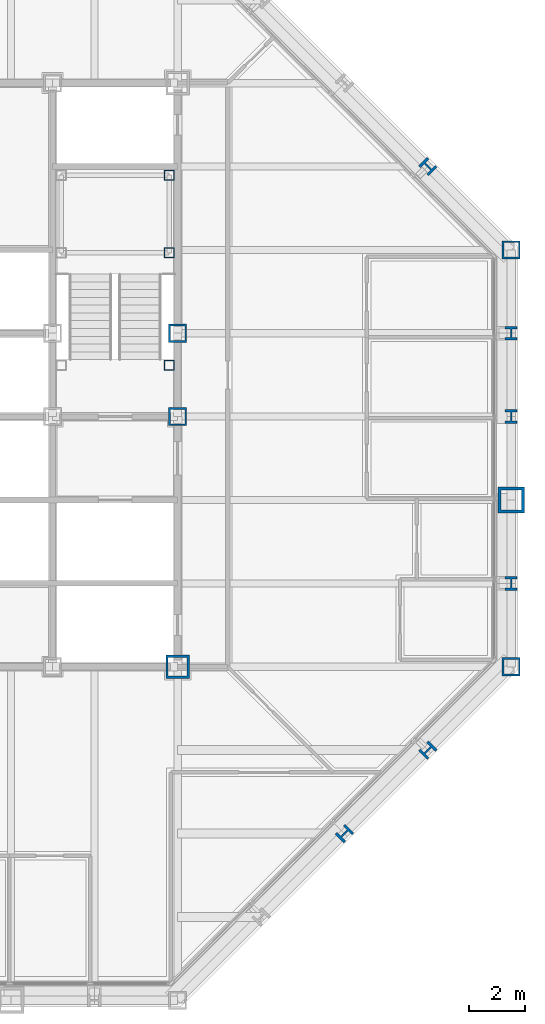
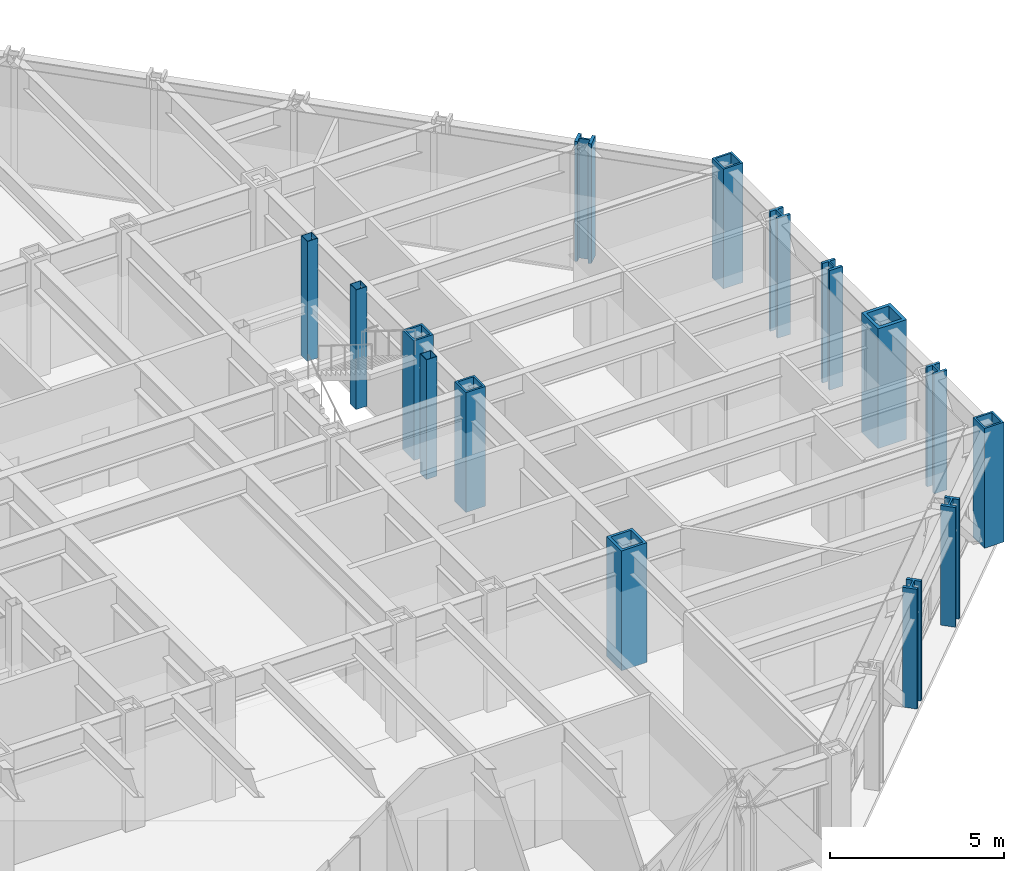
# One storey, part 2 of 15: 15 columns.
"""IFC4 building model written with IfcOpenShell, lengths in metres."""

from ifc_helpers import new_model, si_unit, direction, frame, origin, origin_2d, place, context, subcontext, project, spatial, hollow_rectangle, i_section, extrude, material, material_profile, profile_set, type_object, element, save


model = new_model("IFC4")

# Units and contexts
model_context = context("Model", 3, precision=1e-05, world=origin(), true_north=direction((0.0, 1.0)))
body_context = subcontext(model_context, "Body", "Model", "MODEL_VIEW")
ifc_project = project(units=[si_unit("LENGTHUNIT", "METRE"), si_unit("AREAUNIT", "SQUARE_METRE"), si_unit("VOLUMEUNIT", "CUBIC_METRE"), si_unit("PLANEANGLEUNIT", "RADIAN"), si_unit("MASSUNIT", "GRAM", prefix="KILO")], contexts=[model_context])

# Site, building, storey
site_placement = place(None, origin())
site = spatial("IfcSite", under=ifc_project, at=site_placement, CompositionType="ELEMENT")
building_placement = place(site_placement, origin())
building = spatial("IfcBuilding", under=site, at=building_placement, Name="Chuquiago Exchange Tower", CompositionType="ELEMENT")
storey_placement = place(building_placement, frame((0.0, 0.0, 188.699951171875)))
storey = spatial("IfcBuildingStorey", under=building, at=storey_placement, Name="L41", CompositionType="ELEMENT", Elevation=188.699951171875)

# Columns
ifc_material_1 = material(Name="Steel ASTM A992", Category="steel")
ifc_material_profile_1 = material_profile(ifc_material_1, i_section(OverallWidth=0.431884765625, OverallDepth=0.497802734375, WebThickness=0.0556640625, FlangeThickness=0.0888671875, at=origin_2d()), Name="W14X500")
ifc_profile_set_1 = profile_set([ifc_material_profile_1], Name="Steel ASTM A992")
column_type_1 = type_object("IfcColumnType", Name="C4 W14X500", PredefinedType="COLUMN", material=ifc_profile_set_1)
for number, where, z_axis, x_axis, name in (
    (1, (45.0, 15.0, 0.0), (0.0, 0.0, 1.0), (1.0, 0.0, 0.0), "COL-L41-45_15"),
    (2, (45.0, 21.0, 0.0), (0.0, 0.0, 1.0), (1.0, 0.0, 0.0), "COL-L41-45_21"),
    (3, (45.0, 24.0, 0.0), (0.0, 0.0, 1.0), (1.0, 0.0, 0.0), "COL-L41-45_24"),
):
    element("IfcColumn", number, at=place(storey_placement, frame(where, z_axis=z_axis, x_axis=x_axis)), inside=storey, type_object=column_type_1, Name=name, PredefinedType="COLUMN", context=body_context, shape_type="SweptSolid", body=[
        extrude(i_section(OverallWidth=0.431884765625, OverallDepth=0.497802734375, WebThickness=0.0556640625, FlangeThickness=0.0888671875, at=origin_2d()), origin(), (0.0, 0.0, 1.0), 4.199951171875),
    ])
ifc_material_2 = material(Name="Steel ASTM A572 Grade 50", Category="steel")
ifc_material_profile_2 = material_profile(ifc_material_2, hollow_rectangle(XDim=0.64990234375, YDim=0.64990234375, WallThickness=0.06494140625, at=origin_2d()), Name="BOX650X650X65")
ifc_profile_set_2 = profile_set([ifc_material_profile_2], Name="Steel ASTM A572 Grade 50")
column_type_2 = type_object("IfcColumnType", Name="CC4 BOX650X650X65", PredefinedType="COLUMN", material=ifc_profile_set_2)
for number, where, z_axis, x_axis, name in (
    (4, (33.0, 21.0, 0.0), (0.0, 0.0, 1.0), (1.0, 0.0, 0.0), "CCOL-L41-33_21"),
    (5, (33.0, 24.0, 0.0), (0.0, 0.0, 1.0), (1.0, 0.0, 0.0), "CCOL-L41-33_24"),
):
    element("IfcColumn", number, at=place(storey_placement, frame(where, z_axis=z_axis, x_axis=x_axis)), inside=storey, type_object=column_type_2, Name=name, PredefinedType="COLUMN", context=body_context, shape_type="SweptSolid", body=[
        extrude(hollow_rectangle(XDim=0.64990234375, YDim=0.64990234375, WallThickness=0.06494140625, at=origin_2d()), origin(), (0.0, 0.0, 1.0), 4.199951171875),
    ])
ifc_material_3 = material(Name="Steel ASTM A572 Grade 50", Category="steel")
ifc_material_profile_3 = material_profile(ifc_material_3, hollow_rectangle(XDim=0.85009765625, YDim=0.85009765625, WallThickness=0.0849609375, at=origin_2d()), Name="BOX850X850X85")
ifc_profile_set_3 = profile_set([ifc_material_profile_3], Name="Steel ASTM A572 Grade 50")
column_type_3 = type_object("IfcColumnType", Name="CC6 BOX850X850X85", PredefinedType="COLUMN", material=ifc_profile_set_3)
column_1_placement = place(storey_placement, frame((33.0, 12.0, 0.0), z_axis=(0.0, 0.0, 1.0), x_axis=(1.0, 0.0, 0.0)))
element("IfcColumn", 6, at=column_1_placement, inside=storey, type_object=column_type_3, Name="CCOL-L41-33_12", PredefinedType="COLUMN", context=body_context, shape_type="SweptSolid", body=[
    extrude(hollow_rectangle(XDim=0.85009765625, YDim=0.85009765625, WallThickness=0.0849609375, at=origin_2d()), origin(), (0.0, 0.0, 1.0), 4.199951171875),
])
ifc_material_4 = material(Name="Steel ASTM A992", Category="steel")
ifc_material_profile_4 = material_profile(ifc_material_4, i_section(OverallWidth=0.436767578125, OverallDepth=0.51318359375, WebThickness=0.060546875, FlangeThickness=0.096923828125, at=origin_2d()), Name="W14X550")
ifc_profile_set_4 = profile_set([ifc_material_profile_4], Name="Steel ASTM A992")
column_type_4 = type_object("IfcColumnType", Name="CK4 W14X550", PredefinedType="COLUMN", material=ifc_profile_set_4)
for number, where, z_axis, x_axis, name in (
    (7, (39.0, 6.0, 0.0), (0.0, 0.0, 1.0), (0.707106781187, -0.707106781187, 0.0), "COL-L41-39_6"),
    (8, (42.0, 9.0, 0.0), (0.0, 0.0, 1.0), (0.707106781187, -0.707106781187, 0.0), "COL-L41-42_9"),
    (9, (42.0, 30.0, 0.0), (0.0, 0.0, 1.0), (0.707106781187, 0.707106781187, 0.0), "COL-L41-42_30"),
):
    element("IfcColumn", number, at=place(storey_placement, frame(where, z_axis=z_axis, x_axis=x_axis)), inside=storey, type_object=column_type_4, Name=name, PredefinedType="COLUMN", context=body_context, shape_type="SweptSolid", body=[
        extrude(i_section(OverallWidth=0.436767578125, OverallDepth=0.51318359375, WebThickness=0.060546875, FlangeThickness=0.096923828125, at=origin_2d()), origin(), (0.0, 0.0, 1.0), 4.199951171875),
    ])
ifc_material_5 = material(Name="Steel ASTM A572 Grade 50", Category="steel")
ifc_material_profile_5 = material_profile(ifc_material_5, hollow_rectangle(XDim=0.64990234375, YDim=0.64990234375, WallThickness=0.06494140625, at=origin_2d()), Name="BOX650X650X65")
ifc_profile_set_5 = profile_set([ifc_material_profile_5], Name="Steel ASTM A572 Grade 50")
column_type_5 = type_object("IfcColumnType", Name="CN2 BOX650X650X65", PredefinedType="COLUMN", material=ifc_profile_set_5)
for number, where, z_axis, x_axis, name in (
    (10, (45.0, 12.0, 0.0), (0.0, 0.0, 1.0), (1.0, 0.0, 0.0), "COL-L41-45_12"),
    (11, (45.0, 27.0, 0.0), (0.0, 0.0, 1.0), (1.0, 0.0, 0.0), "COL-L41-45_27"),
):
    element("IfcColumn", number, at=place(storey_placement, frame(where, z_axis=z_axis, x_axis=x_axis)), inside=storey, type_object=column_type_5, Name=name, PredefinedType="COLUMN", context=body_context, shape_type="SweptSolid", body=[
        extrude(hollow_rectangle(XDim=0.64990234375, YDim=0.64990234375, WallThickness=0.06494140625, at=origin_2d()), origin(), (0.0, 0.0, 1.0), 4.199951171875),
    ])
ifc_material_6 = material(Name="Steel ASTM A572 Grade 42", Category="steel")
ifc_material_profile_6 = material_profile(ifc_material_6, hollow_rectangle(XDim=0.949951171875, YDim=0.949951171875, WallThickness=0.110107421875, at=origin_2d()), Name="BOX950X950X110")
ifc_profile_set_6 = profile_set([ifc_material_profile_6], Name="Steel ASTM A572 Grade 42")
column_type_6 = type_object("IfcColumnType", Name="CT1 BOX950X950X110", PredefinedType="COLUMN", material=ifc_profile_set_6)
column_2_placement = place(storey_placement, frame((45.0, 18.0, 0.0), z_axis=(0.0, 0.0, 1.0), x_axis=(1.0, 0.0, 0.0)))
element("IfcColumn", 12, at=column_2_placement, inside=storey, type_object=column_type_6, Name="COL-L41-45_18", PredefinedType="COLUMN", context=body_context, shape_type="SweptSolid", body=[
    extrude(hollow_rectangle(XDim=0.949951171875, YDim=0.949951171875, WallThickness=0.110107421875, at=origin_2d()), origin(), (0.0, 0.0, 1.0), 4.199951171875),
])
ifc_material_7 = material(Name="Steel ASTM A500 Grade C", Category="steel")
ifc_material_profile_7 = material_profile(ifc_material_7, hollow_rectangle(XDim=0.355712890625, YDim=0.355712890625, WallThickness=0.0146484375, at=origin_2d()), Name="HSS14X14X5/8")
ifc_profile_set_7 = profile_set([ifc_material_profile_7], Name="Steel ASTM A500 Grade C")
column_type_7 = type_object("IfcColumnType", Name="PT2 HSS14X14X5/8", PredefinedType="COLUMN", material=ifc_profile_set_7)
for number, where, z_axis, x_axis, name in (
    (13, (32.68994140625, 29.68994140625, 0.0), (0.0, 0.0, 1.0), (1.0, 0.0, 0.0), "Stair ST2 L41 landing post"),
    (14, (32.68994140625, 26.889892578125, 0.0), (0.0, 0.0, 1.0), (1.0, 0.0, 0.0), "Stair ST2 L41 landing post"),
    (15, (32.68994140625, 22.85009765625, 0.0), (0.0, 0.0, 1.0), (1.0, 0.0, 0.0), "Stair ST2 L41 landing post"),
):
    element("IfcColumn", number, at=place(storey_placement, frame(where, z_axis=z_axis, x_axis=x_axis)), inside=storey, type_object=column_type_7, Name=name, PredefinedType="COLUMN", context=body_context, shape_type="SweptSolid", body=[
        extrude(hollow_rectangle(XDim=0.355712890625, YDim=0.355712890625, WallThickness=0.0146484375, at=origin_2d()), origin(), (0.0, 0.0, 1.0), 4.199951171875),
    ])

save(model, "model.ifc")
